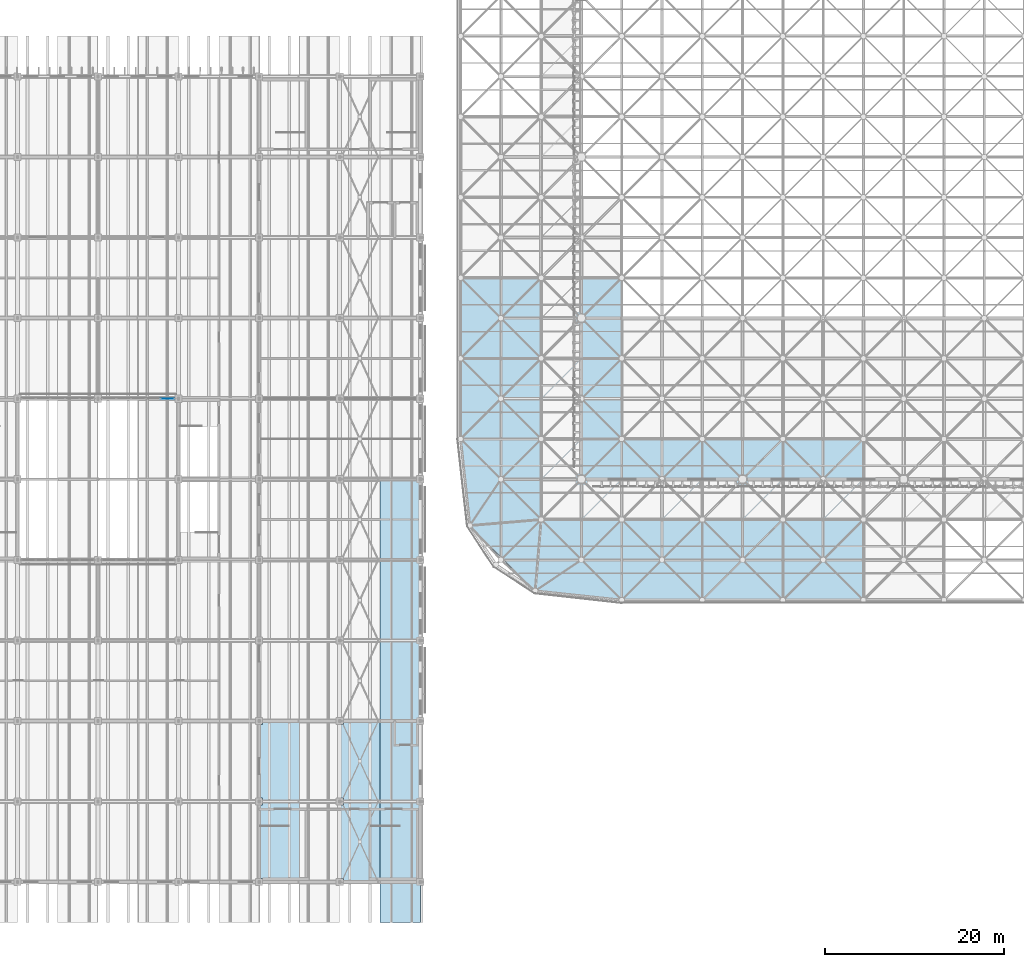
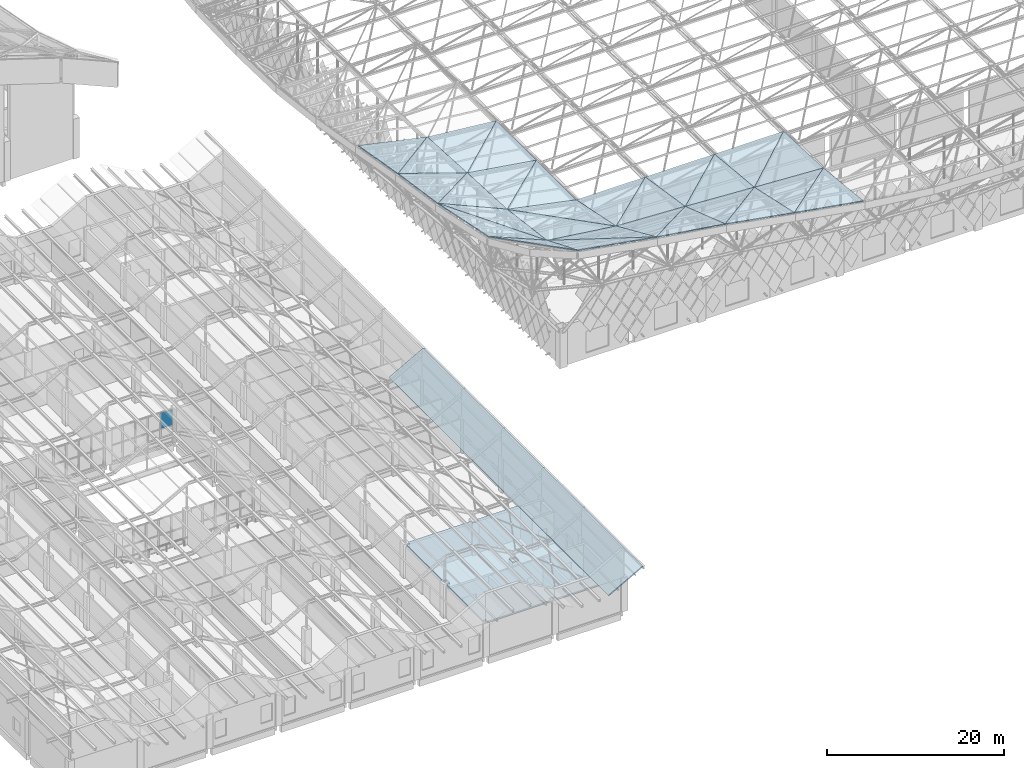
# One storey, part 239 of 437: 29 slabs, 1 plate, 1 element without a shape of its own.
"""IFC4 building model written with IfcOpenShell, lengths in metres."""

from ifc_helpers import new_model, si_unit, direction, frame, origin, origin_2d, place, context, subcontext, project, spatial, polyline, rectangle, outline, extrude, material, layer, layer_set, type_object, element, aggregate, save


model = new_model("IFC4")

# Units and contexts
model_context = context("Model", 3, precision=1e-05, world=origin(), true_north=direction((0.0, 1.0)))
body_context = subcontext(model_context, "Body", "Model", "MODEL_VIEW")
ifc_project = project(units=[si_unit("LENGTHUNIT", "METRE"), si_unit("AREAUNIT", "SQUARE_METRE"), si_unit("VOLUMEUNIT", "CUBIC_METRE"), si_unit("PLANEANGLEUNIT", "RADIAN"), si_unit("MASSUNIT", "GRAM", prefix="KILO")], contexts=[model_context])

# Site, building, storey
site_placement = place(None, origin())
site = spatial("IfcSite", under=ifc_project, at=site_placement, CompositionType="ELEMENT")
building_placement = place(site_placement, origin())
building = spatial("IfcBuilding", under=site, at=building_placement, Name="Opaline Strait Convention Centre", CompositionType="ELEMENT")
storey_placement = place(building_placement, frame((0.0, 0.0, 11.5)))
storey = spatial("IfcBuildingStorey", under=building, at=storey_placement, Name="L02", CompositionType="ELEMENT", Elevation=11.5)

# Curtain wall, plate
ifc_material_1 = material(Name="Aluminium framed double glazing", Category="aluminium")
ifc_layer_1 = layer(ifc_material_1, 0.199951171875)
ifc_layer_set_1 = layer_set([ifc_layer_1], Name="Aluminium framed double glazing")
curtain_wall_type = type_object("IfcCurtainWallType", Name="Curtain wall 1500 module", PredefinedType="NOTDEFINED", material=ifc_layer_set_1)
curtain_wall_placement = place(storey_placement, origin())
curtain_wall = element("IfcCurtainWall", 1, at=curtain_wall_placement, inside=storey, type_object=curtain_wall_type, Name="L02 court glazing Nc 2", PredefinedType="NOTDEFINED")
ifc_material_2 = material(Name="Double glazed unit low emissivity", Category="glass")
ifc_layer_2 = layer(ifc_material_2, 0.028076171875)
ifc_layer_set_2 = layer_set([ifc_layer_2], Name="Double glazed unit low emissivity")
plate_type = type_object("IfcPlateType", Name="Curtain wall glass panel 28", PredefinedType="CURTAIN_PANEL", material=ifc_layer_set_2)
plate_placement = place(storey_placement, frame((52.76513671875, 63.0, 2.304931640625), z_axis=(0.0, 0.0, 1.0), x_axis=(1.0, 0.0, 0.0)))
plate = element("IfcPlate", 2, at=plate_placement, type_object=plate_type, Name="RCW1 panel 5.2", PredefinedType="CURTAIN_PANEL", context=body_context, shape_type="SweptSolid", body=[
    extrude(rectangle(XDim=1.550048828125, YDim=0.028076171875, at=origin_2d()), origin(), (0.0, 0.0, 1.0), 2.18505859375),
])
aggregate(curtain_wall, [plate])

# Slabs
ifc_material_3 = material(Name="Steel Q235-B insulated roof panel", Category="steel")
ifc_layer_3 = layer(ifc_material_3, 0.1201171875)
ifc_layer_set_3 = layer_set([ifc_layer_3], Name="Steel Q235-B insulated roof panel")
slab_type_1 = type_object("IfcSlabType", Name="Insulated roof panel 120 steel Q235B facings", PredefinedType="ROOF", material=ifc_layer_set_3)
slab_1_placement = place(storey_placement, frame((93.833740234375, 41.527587890625, 25.28564453125), z_axis=(0.367715653141, 0.367715653141, 0.854148931317), x_axis=(0.075519381823, 0.903659000893, -0.421541496267)))
element("IfcSlab", 3, at=slab_1_placement, inside=storey, type_object=slab_type_1, Name="EXB-RF-D-0-0a", PredefinedType="ROOF", context=body_context, shape_type="SweptSolid", body=[
    extrude(outline(polyline([(0.0, 0.0), (8.822367841741974, 0.0), (6.050514218815863, 8.375619489212383), (0.0, 0.0)])), origin(), (0.0, 0.0, -1.0), 0.1201171875),
])
slab_2_placement = place(storey_placement, frame((103.5, 40.5, 24.325927734375), z_axis=(0.1183246559, 0.399823425729, 0.908922716211), x_axis=(0.0, 0.915353106268, -0.402652071702)))
element("IfcSlab", 4, at=slab_2_placement, inside=storey, type_object=slab_type_1, Name="EXB-RF-D-1-0a", PredefinedType="ROOF", context=body_context, shape_type="SweptSolid", body=[
    extrude(outline(polyline([(0.0, 0.0), (9.832271216839686, 0.0), (9.360511624041923, 9.063672641774035), (0.0, 0.0)])), origin(), (0.0, 0.0, -1.0), 0.1201171875),
])
slab_3_placement = place(storey_placement, frame((93.833740234375, 41.527587890625, 25.260009765625), z_axis=(0.1306186589, 0.41014099982, 0.90262014503), x_axis=(0.98985877363, -0.105228590362, -0.095428255978)))
element("IfcSlab", 5, at=slab_3_placement, inside=storey, type_object=slab_type_1, Name="EXB-RF-D-1-0b", PredefinedType="ROOF", context=body_context, shape_type="SweptSolid", body=[
    extrude(outline(polyline([(0.0, 0.0), (9.765291800345947, -5.551115123125783e-17), (0.1754745112978794, 8.82062259882417), (0.0, 0.0)])), origin(), (0.0, 0.0, -1.0), 0.1201171875),
])
slab_4_placement = place(storey_placement, frame((103.5, 40.5, 24.31640625), z_axis=(0.140085666053, 0.317844633618, 0.937737060719), x_axis=(0.989025124117, 0.0, -0.147747432685)))
element("IfcSlab", 6, at=slab_4_placement, inside=storey, type_object=slab_type_1, Name="EXB-RF-D-2-0a", PredefinedType="ROOF", context=body_context, shape_type="SweptSolid", body=[
    extrude(outline(polyline([(0.0, 0.0), (9.099869943176708, 5.551115123125783e-17), (9.550578969398273, 9.4922409382272), (0.0, 0.0)])), origin(), (0.0, 0.0, -1.0), 0.1201171875),
])
slab_5_placement = place(storey_placement, frame((103.5, 40.5, 24.3232421875), z_axis=(0.044353761183, 0.402235032208, 0.914461438626), x_axis=(0.668377219013, 0.668377219013, -0.326410456648)))
element("IfcSlab", 7, at=slab_5_placement, inside=storey, type_object=slab_type_1, Name="EXB-RF-D-2-0b", PredefinedType="ROOF", context=body_context, shape_type="SweptSolid", body=[
    extrude(outline(polyline([(0.0, 0.0), (13.465449964457338, -8.881784197001252e-16), (7.307569178770025, 6.578073953730668), (0.0, 0.0)])), origin(), (0.0, 0.0, -1.0), 0.1201171875),
])
slab_6_placement = place(storey_placement, frame((112.5, 40.5, 22.96435546875), z_axis=(0.169488923722, 0.21150212327, 0.962569663239), x_axis=(0.984849380901, 0.0, -0.173411928478)))
element("IfcSlab", 8, at=slab_6_placement, inside=storey, type_object=slab_type_1, Name="EXB-RF-D-3-0a", PredefinedType="ROOF", context=body_context, shape_type="SweptSolid", body=[
    extrude(outline(polyline([(0.0, 0.0), (9.138453223948666, 0.0), (9.481382086418247, 9.208314750213457), (0.0, 0.0)])), origin(), (0.0, 0.0, -1.0), 0.1201171875),
])
slab_7_placement = place(storey_placement, frame((112.5, 40.5, 22.968505859375), z_axis=(0.053770150344, 0.32056860625, 0.945697911396), x_axis=(0.680936695779, 0.680936695779, -0.269537442079)))
element("IfcSlab", 9, at=slab_7_placement, inside=storey, type_object=slab_type_1, Name="EXB-RF-D-3-0b", PredefinedType="ROOF", context=body_context, shape_type="SweptSolid", body=[
    extrude(outline(polyline([(0.0, 0.0), (13.217087661432831, 6.661338147750939e-16), (6.950730036481106, 6.480325469859592), (0.0, 0.0)])), origin(), (0.0, 0.0, -1.0), 0.1201171875),
])
slab_8_placement = place(storey_placement, frame((121.5, 40.5, 21.3740234375), z_axis=(0.166436376287, 0.102213644133, 0.980740181496), x_axis=(0.985903883041, 0.0, -0.16731268154)))
element("IfcSlab", 10, at=slab_8_placement, inside=storey, type_object=slab_type_1, Name="EXB-RF-D-4-0a", PredefinedType="ROOF", context=body_context, shape_type="SweptSolid", body=[
    extrude(outline(polyline([(0.0, 0.0), (9.128678925817473, 0.0), (9.285616260406897, 9.047385958870898), (0.0, 0.0)])), origin(), (0.0, 0.0, -1.0), 0.1201171875),
])
slab_9_placement = place(storey_placement, frame((121.5, 40.5, 21.37451171875), z_axis=(0.052862387402, 0.214306975953, 0.975334859449), x_axis=(0.694204223982, 0.694204223982, -0.190160434401)))
element("IfcSlab", 11, at=slab_9_placement, inside=storey, type_object=slab_type_1, Name="EXB-RF-D-4-0b", PredefinedType="ROOF", context=body_context, shape_type="SweptSolid", body=[
    extrude(outline(polyline([(0.0, 0.0), (12.964484641678096, -2.7755575615628914e-16), (6.62388770300659, 6.405838933478694), (0.0, 0.0)])), origin(), (0.0, 0.0, -1.0), 0.1201171875),
])
slab_10_placement = place(storey_placement, frame((94.5, 49.5, 21.546142578125), z_axis=(0.399822259158, 0.118348966697, 0.908920064232), x_axis=(0.0, 0.991629186244, -0.129118383625)))
element("IfcSlab", 12, at=slab_10_placement, inside=storey, type_object=slab_type_1, Name="EXB-RF-D-0-1a", PredefinedType="ROOF", context=body_context, shape_type="SweptSolid", body=[
    extrude(outline(polyline([(0.0, 0.0), (9.075973282002598, -5.551115123125783e-17), (8.564795618704162, 9.818974217200028), (0.0, 0.0)])), origin(), (0.0, 0.0, -1.0), 0.1201171875),
])
slab_11_placement = place(storey_placement, frame((86.527587890625, 48.833740234375, 25.267822265625), z_axis=(0.41014099982, 0.1306186589, 0.90262014503), x_axis=(0.903659000893, 0.075519381823, -0.421541496267)))
element("IfcSlab", 13, at=slab_11_placement, inside=storey, type_object=slab_type_1, Name="EXB-RF-D-0-1b", PredefinedType="ROOF", context=body_context, shape_type="SweptSolid", body=[
    extrude(outline(polyline([(0.0, 0.0), (8.822367841741972, -1.6653345369377348e-16), (0.19422901392066105, 9.763360027984996), (0.0, 0.0)])), origin(), (0.0, 0.0, -1.0), 0.1201171875),
])
slab_12_placement = place(storey_placement, frame((103.5, 49.5, 20.351318359375), z_axis=(0.196192334495, 0.196192334495, 0.960737808026), x_axis=(0.0, 0.979779396609, -0.200080818622)))
element("IfcSlab", 14, at=slab_12_placement, inside=storey, type_object=slab_type_1, Name="EXB-RF-D-1-1a", PredefinedType="ROOF", context=body_context, shape_type="SweptSolid", body=[
    extrude(outline(polyline([(0.0, 0.0), (9.185741230268949, -5.551115123125783e-17), (8.818014569481663, 9.17837780070145), (0.0, 0.0)])), origin(), (0.0, 0.0, -1.0), 0.1201171875),
])
slab_13_placement = place(storey_placement, frame((94.5, 49.5, 21.51513671875), z_axis=(0.128055354825, 0.128055354825, 0.983465125056), x_axis=(0.991629186244, 0.0, -0.129118383625)))
element("IfcSlab", 15, at=slab_13_placement, inside=storey, type_object=slab_type_1, Name="EXB-RF-D-1-1b", PredefinedType="ROOF", context=body_context, shape_type="SweptSolid", body=[
    extrude(outline(polyline([(0.0, 0.0), (9.075973282002598, 0.0), (0.15131060581108122, 9.074711902655318), (0.0, 0.0)])), origin(), (0.0, 0.0, -1.0), 0.1201171875),
])
slab_14_placement = place(storey_placement, frame((103.5, 49.5, 20.341796875), z_axis=(0.047870172727, 0.153677176429, 0.986960876635), x_axis=(0.998825819985, 0.0, -0.048445653378)))
element("IfcSlab", 16, at=slab_14_placement, inside=storey, type_object=slab_type_1, Name="EXB-RF-D-2-1a", PredefinedType="ROOF", context=body_context, shape_type="SweptSolid", body=[
    extrude(outline(polyline([(0.0, 0.0), (9.010580043009819, 0.0), (9.078470192030998, 9.10819526151408), (0.0, 0.0)])), origin(), (0.0, 0.0, -1.0), 0.1201171875),
])
slab_15_placement = place(storey_placement, frame((103.5, 49.5, 20.34375), z_axis=(0.0, 0.200080818622, 0.979779396609), x_axis=(0.699848198846, 0.699848198846, -0.142916049287)))
element("IfcSlab", 17, at=slab_15_placement, inside=storey, type_object=slab_type_1, Name="EXB-RF-D-2-1b", PredefinedType="ROOF", context=body_context, shape_type="SweptSolid", body=[
    extrude(outline(polyline([(0.0, 0.0), (12.859931646375998, 2.220446049250313e-16), (6.56129785676124, 6.4286244550699365), (0.0, 0.0)])), origin(), (0.0, 0.0, -1.0), 0.1201171875),
])
slab_16_placement = place(storey_placement, frame((112.5, 49.5, 19.9033203125), z_axis=(0.056491515248, 0.098213302273, 0.993560695661), x_axis=(0.998387513024, 0.0, -0.056765956687)))
element("IfcSlab", 18, at=slab_16_placement, inside=storey, type_object=slab_type_1, Name="EXB-RF-D-3-1a", PredefinedType="ROOF", context=body_context, shape_type="SweptSolid", body=[
    extrude(outline(polyline([(0.0, 0.0), (9.014535821610648, 0.0), (9.065037566280138, 9.043722901335022), (0.0, 0.0)])), origin(), (0.0, 0.0, -1.0), 0.1201171875),
])
slab_17_placement = place(storey_placement, frame((112.5, 49.5, 19.90478515625), z_axis=(0.0, 0.153853559361, 0.988093660678), x_axis=(0.702859440181, 0.702859440181, -0.109440461877)))
element("IfcSlab", 19, at=slab_17_placement, inside=storey, type_object=slab_type_1, Name="EXB-RF-D-3-1b", PredefinedType="ROOF", context=body_context, shape_type="SweptSolid", body=[
    extrude(outline(polyline([(0.0, 0.0), (12.804836195524006, 5.551115123125783e-17), (6.479101233891778, 6.401958856098946), (0.0, 0.0)])), origin(), (0.0, 0.0, -1.0), 0.1201171875),
])
slab_18_placement = place(storey_placement, frame((121.5, 49.5, 19.390625), z_axis=(0.05409305744, 0.044540856702, 0.997542005743), x_axis=(0.998532986248, 0.0, -0.054146794692)))
element("IfcSlab", 20, at=slab_18_placement, inside=storey, type_object=slab_type_1, Name="EXB-RF-D-4-1a", PredefinedType="ROOF", context=body_context, shape_type="SweptSolid", body=[
    extrude(outline(polyline([(0.0, 0.0), (9.013222521391954, 3.469446951953614e-18), (9.034981706954033, 9.008940800982543), (0.0, 0.0)])), origin(), (0.0, 0.0, -1.0), 0.1201171875),
])
slab_19_placement = place(storey_placement, frame((121.5, 49.5, 19.39111328125), z_axis=(0.0, 0.098370391991, 0.995149871115), x_axis=(0.705385748856, 0.705385748856, -0.069727258812)))
element("IfcSlab", 21, at=slab_19_placement, inside=storey, type_object=slab_type_1, Name="EXB-RF-D-4-1b", PredefinedType="ROOF", context=body_context, shape_type="SweptSolid", body=[
    extrude(outline(polyline([(0.0, 0.0), (12.758976226263071, -5.273559366969494e-16), (6.410504486557995, 6.379412713578423), (0.0, 0.0)])), origin(), (0.0, 0.0, -1.0), 0.1201171875),
])
slab_20_placement = place(storey_placement, frame((85.5, 58.5, 24.331298828125), z_axis=(0.402256267208, 0.044328561267, 0.91445331983), x_axis=(0.915353106268, 0.0, -0.402652071702)))
element("IfcSlab", 22, at=slab_20_placement, inside=storey, type_object=slab_type_1, Name="EXB-RF-D-0-2a", PredefinedType="ROOF", context=body_context, shape_type="SweptSolid", body=[
    extrude(outline(polyline([(0.0, 0.0), (9.832271216839684, 0.0), (10.007939979567254, 9.008855649342124), (0.0, 0.0)])), origin(), (0.0, 0.0, -1.0), 0.1201171875),
])
slab_21_placement = place(storey_placement, frame((85.5, 58.5, 24.320556640625), z_axis=(0.317843500893, 0.140110604475, 0.937733718842), x_axis=(0.668377219013, 0.668377219013, -0.326410456648)))
element("IfcSlab", 23, at=slab_21_placement, inside=storey, type_object=slab_type_1, Name="EXB-RF-D-0-2b", PredefinedType="ROOF", context=body_context, shape_type="SweptSolid", body=[
    extrude(outline(polyline([(0.0, 0.0), (13.465449964457338, -4.440892098500626e-16), (6.454327782448088, 6.414822086746586), (0.0, 0.0)])), origin(), (0.0, 0.0, -1.0), 0.1201171875),
])
slab_22_placement = place(storey_placement, frame((94.5, 58.5, 20.345458984375), z_axis=(0.200080818622, 0.0, 0.979779396609), x_axis=(0.979779396609, 0.0, -0.200080818622)))
element("IfcSlab", 24, at=slab_22_placement, inside=storey, type_object=slab_type_1, Name="EXB-RF-D-1-2a", PredefinedType="ROOF", context=body_context, shape_type="SweptSolid", body=[
    extrude(outline(polyline([(0.0, 0.0), (9.185741230268949, 0.0), (9.185741230268949, 9.0), (0.0, 0.0)])), origin(), (0.0, 0.0, -1.0), 0.1201171875),
])
slab_23_placement = place(storey_placement, frame((94.5, 58.5, 20.3427734375), z_axis=(0.153677176429, 0.047870172727, 0.986960876635), x_axis=(0.699848198846, 0.699848198846, -0.142916049287)))
element("IfcSlab", 25, at=slab_23_placement, inside=storey, type_object=slab_type_1, Name="EXB-RF-D-1-2b", PredefinedType="ROOF", context=body_context, shape_type="SweptSolid", body=[
    extrude(outline(polyline([(0.0, 0.0), (12.859931646375998, -9.43689570931383e-16), (6.3610199947234065, 6.381847486286071), (0.0, 0.0)])), origin(), (0.0, 0.0, -1.0), 0.1201171875),
])
slab_24_placement = place(storey_placement, frame((85.5, 67.5, 22.97314453125), z_axis=(0.320545588551, 0.053770592525, 0.945705688383), x_axis=(0.94707580852, 0.0, -0.321009988809)))
element("IfcSlab", 26, at=slab_24_placement, inside=storey, type_object=slab_type_1, Name="EXB-RF-D-0-3a", PredefinedType="ROOF", context=body_context, shape_type="SweptSolid", body=[
    extrude(outline(polyline([(0.0, 0.0), (9.502935160026821, 2.7755575615628914e-17), (9.66720199023779, 9.013039026188338), (0.0, 0.0)])), origin(), (0.0, 0.0, -1.0), 0.1201171875),
])
slab_25_placement = place(storey_placement, frame((85.5, 67.5, 22.965087890625), z_axis=(0.21150212327, 0.169488923722, 0.962569663239), x_axis=(0.680940085926, 0.680940085926, -0.26952031233)))
element("IfcSlab", 27, at=slab_25_placement, inside=storey, type_object=slab_type_1, Name="EXB-RF-D-0-3b", PredefinedType="ROOF", context=body_context, shape_type="SweptSolid", body=[
    extrude(outline(polyline([(0.0, 0.0), (13.217021858484292, 3.885780586188048e-16), (6.555574139381374, 6.366771162007627), (0.0, 0.0)])), origin(), (0.0, 0.0, -1.0), 0.1201171875),
])
slab_26_placement = place(storey_placement, frame((94.5, 67.5, 19.906005859375), z_axis=(0.153879728486, 0.0, 0.988089585595), x_axis=(0.988089585595, 0.0, -0.153879728486)))
element("IfcSlab", 28, at=slab_26_placement, inside=storey, type_object=slab_type_1, Name="EXB-RF-D-1-3a", PredefinedType="ROOF", context=body_context, shape_type="SweptSolid", body=[
    extrude(outline(polyline([(0.0, 0.0), (9.108485840968758, 0.0), (9.108485840968758, 8.999999999999998), (0.0, 0.0)])), origin(), (0.0, 0.0, -1.0), 0.1201171875),
])
slab_27_placement = place(storey_placement, frame((94.5, 67.5, 19.90380859375), z_axis=(0.09823999425, 0.056491365692, 0.993558065305), x_axis=(0.702857973456, 0.702857973456, -0.10945929974)))
element("IfcSlab", 29, at=slab_27_placement, inside=storey, type_object=slab_type_1, Name="EXB-RF-D-1-3b", PredefinedType="ROOF", context=body_context, shape_type="SweptSolid", body=[
    extrude(outline(polyline([(0.0, 0.0), (12.804862916686314, -2.914335439641036e-16), (6.381734137139911, 6.366735857718983), (0.0, 0.0)])), origin(), (0.0, 0.0, -1.0), 0.1201171875),
])
ifc_material_4 = material(Name="Concrete C35", Category="concrete")
ifc_layer_4 = layer(ifc_material_4, 0.25)
ifc_layer_set_4 = layer_set([ifc_layer_4], Name="Concrete C35")
slab_type_2 = type_object("IfcSlabType", Name="RC core roof slab 250 C35", PredefinedType="ROOF", material=ifc_layer_set_4)
slab_28_placement = place(storey_placement, frame((0.0, 0.0, 4.300048828125)))
element("IfcSlab", 30, at=slab_28_placement, inside=storey, type_object=slab_type_2, Name="RS3 core roof slab SE", PredefinedType="ROOF", context=body_context, shape_type="SweptSolid", body=[
    extrude(outline(polyline([(81.0, 9.39990234375), (80.60009765625, 9.39990234375), (80.60009765625, 9.0), (72.39990234375, 9.0), (72.39990234375, 9.39990234375), (71.60009765625, 9.39990234375), (71.60009765625, 9.0), (63.39990234375, 9.0), (63.39990234375, 9.39990234375), (63.0, 9.39990234375), (63.0, 17.60009765625), (63.39990234375, 17.60009765625), (63.39990234375, 18.39990234375), (63.0, 18.39990234375), (63.0, 26.60009765625), (63.39990234375, 26.60009765625), (63.39990234375, 27.0), (71.60009765625, 27.0), (71.60009765625, 26.60009765625), (72.39990234375, 26.60009765625), (72.39990234375, 27.0), (80.60009765625, 27.0), (80.60009765625, 26.60009765625), (81.0, 26.60009765625), (81.0, 18.39990234375), (80.60009765625, 18.39990234375), (80.60009765625, 17.60009765625), (81.0, 17.60009765625), (81.0, 9.39990234375)]), holes=[polyline([(71.60009765625, 18.39990234375), (71.60009765625, 17.60009765625), (72.39990234375, 17.60009765625), (72.39990234375, 18.39990234375), (71.60009765625, 18.39990234375)])]), origin(), (0.0, 0.0, 1.0), 0.25),
])
ifc_material_5 = material(Name="Concrete C30", Category="concrete")
ifc_layer_5 = layer(ifc_material_5, 0.14990234375)
ifc_layer_set_5 = layer_set([ifc_layer_5], Name="Concrete C30")
slab_type_3 = type_object("IfcSlabType", Name="Roof deck 150 C30", PredefinedType="ROOF", material=ifc_layer_set_5)
slab_29_placement = place(storey_placement, frame((76.5, 4.5, 6.25), z_axis=(-0.485642931179, 0.0, 0.874157276122), x_axis=(0.874157276122, 0.0, 0.485642931179)))
element("IfcSlab", 31, at=slab_29_placement, inside=storey, type_object=slab_type_3, Name="RS4 roof deck facet 16 south pour", PredefinedType="ROOF", context=body_context, shape_type="SweptSolid", body=[
    extrude(outline(polyline([(0.0, 0.0), (5.1478150704935, 0.0), (5.1478150704935, 49.5), (0.0, 49.5), (0.0, 0.0)])), origin(), (0.0, 0.0, -1.0), 0.14990234375),
])

save(model, "model.ifc")
